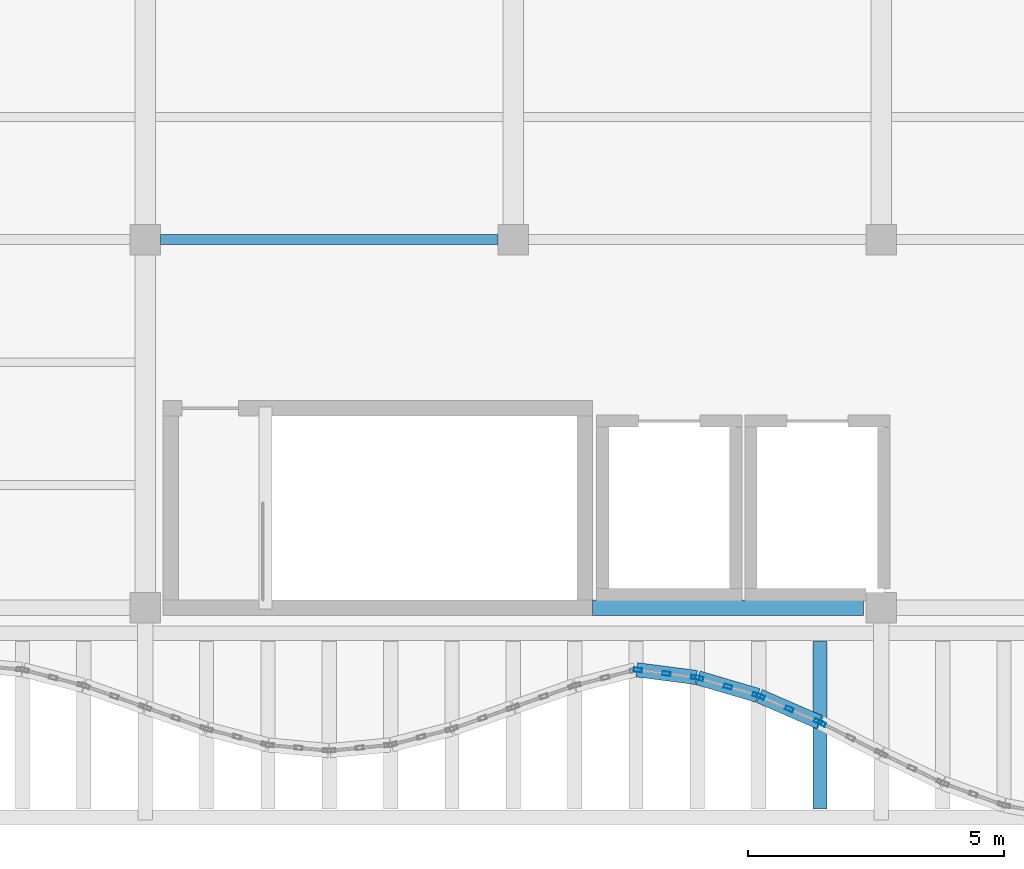
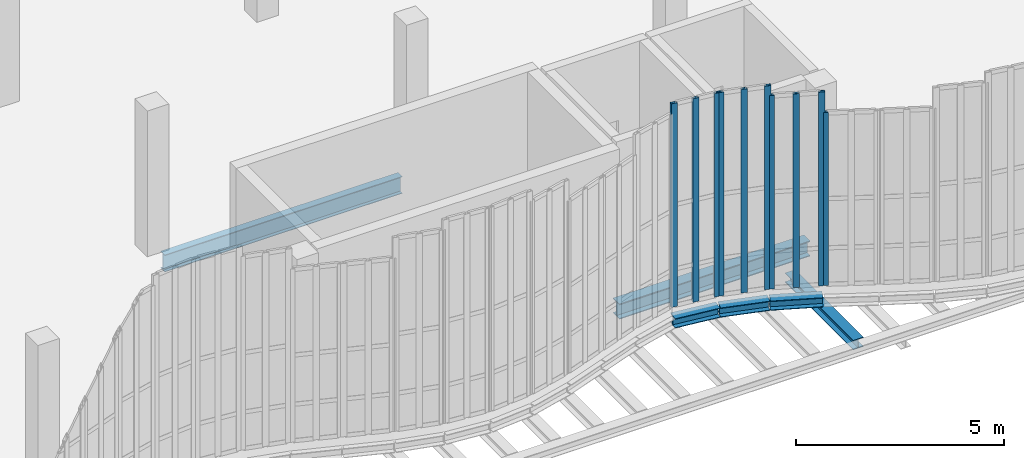
# One storey, part 12 of 76: 10 members, 6 beams, 4 elements without a shape of their own.
"""IFC4 building model written with IfcOpenShell, lengths in metres."""

from ifc_helpers import new_model, si_unit, direction, frame, origin, origin_2d, place, context, subcontext, project, spatial, hollow_rectangle, i_section, extrude, material, layer, layer_set, material_profile, profile_set, type_object, element, aggregate, save


model = new_model("IFC4")

# Units and contexts
model_context = context("Model", 3, precision=1e-05, world=origin(), true_north=direction((0.0, 1.0)))
body_context = subcontext(model_context, "Body", "Model", "MODEL_VIEW")
ifc_project = project(units=[si_unit("LENGTHUNIT", "METRE"), si_unit("AREAUNIT", "SQUARE_METRE"), si_unit("VOLUMEUNIT", "CUBIC_METRE"), si_unit("PLANEANGLEUNIT", "RADIAN"), si_unit("MASSUNIT", "GRAM", prefix="KILO"), si_unit("THERMODYNAMICTEMPERATUREUNIT", "KELVIN"), si_unit("POWERUNIT", "WATT")], contexts=[model_context])

# Site, building, storey
site_placement = place(None, origin())
site = spatial("IfcSite", under=ifc_project, at=site_placement, CompositionType="ELEMENT")
building_placement = place(site_placement, origin())
building = spatial("IfcBuilding", under=site, at=building_placement, Name="Kaldorven Railside Theatre", CompositionType="ELEMENT")
storey_placement = place(building_placement, frame((0.0, 0.0, 14.39990234375)))
storey = spatial("IfcBuildingStorey", under=building, at=storey_placement, Name="L03", CompositionType="ELEMENT", Elevation=14.39990234375)

# Beams
ifc_material_1 = material(Name="Steel S355", Category="steel")
ifc_material_profile_1 = material_profile(ifc_material_1, i_section(OverallWidth=0.280029296875, OverallDepth=0.280029296875, WebThickness=0.010498046875, FlangeThickness=0.01806640625, at=origin_2d()), Name="HEB 280")
ifc_profile_set_1 = profile_set([ifc_material_profile_1], Name="Steel S355")
beam_type_1 = type_object("IfcBeamType", Name="BM-HEB280", PredefinedType="SPANDREL", material=ifc_profile_set_1)
beam_1_placement = place(storey_placement, frame((68.014892578125, 17.984130859375, -0.419921875), z_axis=(0.991684423409, -0.12869345115, 0.0), x_axis=(0.12869345115, 0.991684423409, 0.0)))
element("IfcBeam", 1, at=beam_1_placement, inside=storey, type_object=beam_type_1, Name="L03 Sinusoidal Flute Edge Spandrel FSB-171", PredefinedType="SPANDREL", context=body_context, shape_type="SweptSolid", body=[
    extrude(i_section(OverallWidth=0.280029296875, OverallDepth=0.280029296875, WebThickness=0.010498046875, FlangeThickness=0.01806640625, at=origin_2d()), origin(), (0.0, 0.0, 1.0), 1.179931640625),
])
beam_2_placement = place(storey_placement, frame((69.21435546875, 17.826171875, -0.419921875), z_axis=(0.959142332249, -0.28292399419, 0.0), x_axis=(0.28292399419, 0.959142332249, 0.0)))
element("IfcBeam", 2, at=beam_2_placement, inside=storey, type_object=beam_type_1, Name="L03 Sinusoidal Flute Edge Spandrel FSB-172", PredefinedType="SPANDREL", context=body_context, shape_type="SweptSolid", body=[
    extrude(i_section(OverallWidth=0.280029296875, OverallDepth=0.280029296875, WebThickness=0.010498046875, FlangeThickness=0.01806640625, at=origin_2d()), origin(), (0.0, 0.0, 1.0), 1.220947265625),
])
beam_3_placement = place(storey_placement, frame((70.413818359375, 17.470458984375, -0.419921875), z_axis=(0.916988066929, -0.398914633864, 0.0), x_axis=(0.398914633864, 0.916988066929, 0.0)))
element("IfcBeam", 3, at=beam_3_placement, inside=storey, type_object=beam_type_1, Name="L03 Sinusoidal Flute Edge Spandrel FSB-173", PredefinedType="SPANDREL", context=body_context, shape_type="SweptSolid", body=[
    extrude(i_section(OverallWidth=0.280029296875, OverallDepth=0.280029296875, WebThickness=0.010498046875, FlangeThickness=0.01806640625, at=origin_2d()), origin(), (0.0, 0.0, 1.0), 1.278564453125),
])
beam_4_placement = place(storey_placement, frame((71.60009765625, 15.260009765625, -0.699951171875), z_axis=(0.0, 1.0, 0.0), x_axis=(-1.0, 0.0, 0.0)))
element("IfcBeam", 4, at=beam_4_placement, inside=storey, type_object=beam_type_1, Name="L03 Sinusoidal Diaphragm Rib Outrigger FOB-M174", PredefinedType="SPANDREL", context=body_context, shape_type="SweptSolid", body=[
    extrude(i_section(OverallWidth=0.280029296875, OverallDepth=0.280029296875, WebThickness=0.010498046875, FlangeThickness=0.01806640625, at=origin_2d()), origin(), (0.0, 0.0, 1.0), 3.280029296875),
])
ifc_material_profile_2 = material_profile(ifc_material_1, i_section(OverallWidth=0.300048828125, OverallDepth=0.449951171875, WebThickness=0.013916015625, FlangeThickness=0.02587890625, at=origin_2d()), Name="HEB 450")
ifc_profile_set_2 = profile_set([ifc_material_profile_2], Name="Steel S355")
beam_type_2 = type_object("IfcBeamType", Name="BM-HEB450", PredefinedType="BEAM", material=ifc_profile_set_2)
beam_5_placement = place(storey_placement, frame((67.14990234375, 19.199951171875, -0.5048828125), z_axis=(1.0, 0.0, 0.0), x_axis=(0.0, 1.0, 0.0)))
element("IfcBeam", 5, at=beam_5_placement, inside=storey, type_object=beam_type_2, Name="L03 South Spandrel Girder BGX-L03-067-019", PredefinedType="BEAM", context=body_context, shape_type="SweptSolid", body=[
    extrude(i_section(OverallWidth=0.300048828125, OverallDepth=0.449951171875, WebThickness=0.013916015625, FlangeThickness=0.02587890625, at=origin_2d()), origin(), (0.0, 0.0, 1.0), 5.300048828125),
])
ifc_material_profile_3 = material_profile(ifc_material_1, i_section(OverallWidth=0.199951171875, OverallDepth=0.5, WebThickness=0.01025390625, FlangeThickness=0.01611328125, at=origin_2d()), Name="IPE 500")
ifc_profile_set_3 = profile_set([ifc_material_profile_3], Name="Steel S355")
beam_type_3 = type_object("IfcBeamType", Name="BM-IPE500", PredefinedType="BEAM", material=ifc_profile_set_3)
beam_6_placement = place(storey_placement, frame((58.699951171875, 26.39990234375, -0.52978515625), z_axis=(1.0, 0.0, 0.0), x_axis=(0.0, 1.0, 0.0)))
element("IfcBeam", 6, at=beam_6_placement, inside=storey, type_object=beam_type_3, Name="L03 Girder BGX-L03-058-026", PredefinedType="BEAM", context=body_context, shape_type="SweptSolid", body=[
    extrude(i_section(OverallWidth=0.199951171875, OverallDepth=0.5, WebThickness=0.01025390625, FlangeThickness=0.01611328125, at=origin_2d()), origin(), (0.0, 0.0, 1.0), 6.60009765625),
])

# Curtain wall, members
ifc_material_2 = material(Name="Low-E laminated solar-control glass", Category="glass")
ifc_layer_1 = layer(ifc_material_2, 0.159912109375, Name="Low-E laminated solar-control glass")
ifc_layer_set_1 = layer_set([ifc_layer_1], Name="Low-E laminated solar-control glass")
curtain_wall_type_1 = type_object("IfcCurtainWallType", Name="CWT-10", PredefinedType="USERDEFINED", material=ifc_layer_set_1)
curtain_wall_1_placement = place(storey_placement, origin())
curtain_wall_1 = element("IfcCurtainWall", 7, at=curtain_wall_1_placement, inside=storey, type_object=curtain_wall_type_1, Name="Sinusoidal Fluted Curtain Wall CW-L03-S27", ObjectType="FLUTED GLAZING", PredefinedType="USERDEFINED")
ifc_material_3 = material(Name="Anodised bronze aluminium", Category="aluminium")
ifc_material_profile_4 = material_profile(ifc_material_3, hollow_rectangle(XDim=0.080078125, YDim=0.159912109375, WallThickness=0.00634765625, at=origin_2d()), Name="RHS 160x80x6.3")
ifc_profile_set_4 = profile_set([ifc_material_profile_4], Name="Anodised bronze aluminium")
member_type = type_object("IfcMemberType", Name="CWM-160", PredefinedType="MULLION", material=ifc_profile_set_4)
member_1_placement = place(storey_placement, frame((68.03955078125, 17.98095703125, 0.0), z_axis=(0.0, 0.0, 1.0), x_axis=(0.12875269587, 0.991676733269, 0.0)))
member_1 = element("IfcMember", 8, at=member_1_placement, type_object=member_type, Name="CW-L03-S27 mullion 1", PredefinedType="MULLION", context=body_context, shape_type="SweptSolid", body=[
    extrude(hollow_rectangle(XDim=0.080078125, YDim=0.159912109375, WallThickness=0.00634765625, at=origin_2d()), origin(), (0.0, 0.0, 1.0), 5.97998046875),
])
member_2_placement = place(storey_placement, frame((68.60009765625, 17.908203125, 0.0), z_axis=(0.0, 0.0, 1.0), x_axis=(0.12875269587, 0.991676733269, 0.0)))
member_2 = element("IfcMember", 9, at=member_2_placement, type_object=member_type, Name="CW-L03-S27 mullion 2", PredefinedType="MULLION", context=body_context, shape_type="SweptSolid", body=[
    extrude(hollow_rectangle(XDim=0.080078125, YDim=0.159912109375, WallThickness=0.00634765625, at=origin_2d()), origin(), (0.0, 0.0, 1.0), 5.97998046875),
])
member_3_placement = place(storey_placement, frame((69.160400390625, 17.83544921875, 0.0), z_axis=(0.0, 0.0, 1.0), x_axis=(0.12875269587, 0.991676733269, 0.0)))
member_3 = element("IfcMember", 10, at=member_3_placement, type_object=member_type, Name="CW-L03-S27 mullion 3", PredefinedType="MULLION", context=body_context, shape_type="SweptSolid", body=[
    extrude(hollow_rectangle(XDim=0.080078125, YDim=0.159912109375, WallThickness=0.00634765625, at=origin_2d()), origin(), (0.0, 0.0, 1.0), 5.97998046875),
])
aggregate(curtain_wall_1, [member_1, member_2, member_3])

ifc_layer_2 = layer(ifc_material_2, 0.159912109375, Name="Low-E laminated solar-control glass")
ifc_layer_set_2 = layer_set([ifc_layer_2], Name="Low-E laminated solar-control glass")
curtain_wall_type_2 = type_object("IfcCurtainWallType", Name="CWT-11", PredefinedType="USERDEFINED", material=ifc_layer_set_2)
curtain_wall_2_placement = place(storey_placement, origin())
curtain_wall_2 = element("IfcCurtainWall", 11, at=curtain_wall_2_placement, inside=storey, type_object=curtain_wall_type_2, Name="Sinusoidal Fluted Curtain Wall CW-L03-S28", ObjectType="FLUTED GLAZING", PredefinedType="USERDEFINED")
member_4_placement = place(storey_placement, frame((69.23828125, 17.819091796875, 0.0), z_axis=(0.0, 0.0, 1.0), x_axis=(0.282871615621, 0.959157781116, 0.0)))
member_4 = element("IfcMember", 12, at=member_4_placement, type_object=member_type, Name="CW-L03-S28 mullion 1", PredefinedType="MULLION", context=body_context, shape_type="SweptSolid", body=[
    extrude(hollow_rectangle(XDim=0.080078125, YDim=0.159912109375, WallThickness=0.00634765625, at=origin_2d()), origin(), (0.0, 0.0, 1.0), 5.97998046875),
])
member_5_placement = place(storey_placement, frame((69.800048828125, 17.6533203125, 0.0), z_axis=(0.0, 0.0, 1.0), x_axis=(0.282871615621, 0.959157781116, 0.0)))
member_5 = element("IfcMember", 13, at=member_5_placement, type_object=member_type, Name="CW-L03-S28 mullion 2", PredefinedType="MULLION", context=body_context, shape_type="SweptSolid", body=[
    extrude(hollow_rectangle(XDim=0.080078125, YDim=0.159912109375, WallThickness=0.00634765625, at=origin_2d()), origin(), (0.0, 0.0, 1.0), 5.97998046875),
])
member_6_placement = place(storey_placement, frame((70.361572265625, 17.48779296875, 0.0), z_axis=(0.0, 0.0, 1.0), x_axis=(0.282871615621, 0.959157781116, 0.0)))
member_6 = element("IfcMember", 14, at=member_6_placement, type_object=member_type, Name="CW-L03-S28 mullion 3", PredefinedType="MULLION", context=body_context, shape_type="SweptSolid", body=[
    extrude(hollow_rectangle(XDim=0.080078125, YDim=0.159912109375, WallThickness=0.00634765625, at=origin_2d()), origin(), (0.0, 0.0, 1.0), 5.97998046875),
])
aggregate(curtain_wall_2, [member_4, member_5, member_6])

ifc_layer_3 = layer(ifc_material_2, 0.159912109375, Name="Low-E laminated solar-control glass")
ifc_layer_set_3 = layer_set([ifc_layer_3], Name="Low-E laminated solar-control glass")
curtain_wall_type_3 = type_object("IfcCurtainWallType", Name="CWT-12", PredefinedType="USERDEFINED", material=ifc_layer_set_3)
curtain_wall_3_placement = place(storey_placement, origin())
curtain_wall_3 = element("IfcCurtainWall", 15, at=curtain_wall_3_placement, inside=storey, type_object=curtain_wall_type_3, Name="Sinusoidal Fluted Curtain Wall CW-L03-S29", ObjectType="FLUTED GLAZING", PredefinedType="USERDEFINED")
member_7_placement = place(storey_placement, frame((70.436767578125, 17.46044921875, 0.0), z_axis=(0.0, 0.0, 1.0), x_axis=(0.398893759235, 0.916997147675, 0.0)))
member_7 = element("IfcMember", 16, at=member_7_placement, type_object=member_type, Name="CW-L03-S29 mullion 1", PredefinedType="MULLION", context=body_context, shape_type="SweptSolid", body=[
    extrude(hollow_rectangle(XDim=0.080078125, YDim=0.159912109375, WallThickness=0.00634765625, at=origin_2d()), origin(), (0.0, 0.0, 1.0), 5.690185546875),
])
member_8_placement = place(storey_placement, frame((71.0, 17.21533203125, 0.0), z_axis=(0.0, 0.0, 1.0), x_axis=(0.398893759235, 0.916997147675, 0.0)))
member_8 = element("IfcMember", 17, at=member_8_placement, type_object=member_type, Name="CW-L03-S29 mullion 2", PredefinedType="MULLION", context=body_context, shape_type="SweptSolid", body=[
    extrude(hollow_rectangle(XDim=0.080078125, YDim=0.159912109375, WallThickness=0.00634765625, at=origin_2d()), origin(), (0.0, 0.0, 1.0), 5.690185546875),
])
member_9_placement = place(storey_placement, frame((71.563232421875, 16.970458984375, 0.0), z_axis=(0.0, 0.0, 1.0), x_axis=(0.398893759235, 0.916997147675, 0.0)))
member_9 = element("IfcMember", 18, at=member_9_placement, type_object=member_type, Name="CW-L03-S29 mullion 3", PredefinedType="MULLION", context=body_context, shape_type="SweptSolid", body=[
    extrude(hollow_rectangle(XDim=0.080078125, YDim=0.159912109375, WallThickness=0.00634765625, at=origin_2d()), origin(), (0.0, 0.0, 1.0), 5.690185546875),
])
aggregate(curtain_wall_3, [member_7, member_8, member_9])

# Curtain wall, member
ifc_layer_4 = layer(ifc_material_2, 0.159912109375, Name="Low-E laminated solar-control glass")
ifc_layer_set_4 = layer_set([ifc_layer_4], Name="Low-E laminated solar-control glass")
curtain_wall_type_4 = type_object("IfcCurtainWallType", Name="CWT-13", PredefinedType="USERDEFINED", material=ifc_layer_set_4)
curtain_wall_4_placement = place(storey_placement, origin())
curtain_wall_4 = element("IfcCurtainWall", 19, at=curtain_wall_4_placement, inside=storey, type_object=curtain_wall_type_4, Name="Sinusoidal Fluted Curtain Wall CW-L03-S30", ObjectType="FLUTED GLAZING", PredefinedType="USERDEFINED")
member_10_placement = place(storey_placement, frame((71.6357421875, 16.936279296875, 0.0), z_axis=(0.0, 0.0, 1.0), x_axis=(0.451432188451, 0.89230542934, 0.0)))
member_10 = element("IfcMember", 20, at=member_10_placement, type_object=member_type, Name="CW-L03-S30 mullion 1", PredefinedType="MULLION", context=body_context, shape_type="SweptSolid", body=[
    extrude(hollow_rectangle(XDim=0.080078125, YDim=0.159912109375, WallThickness=0.00634765625, at=origin_2d()), origin(), (0.0, 0.0, 1.0), 5.090087890625),
])
aggregate(curtain_wall_4, [member_10])

save(model, "model.ifc")
